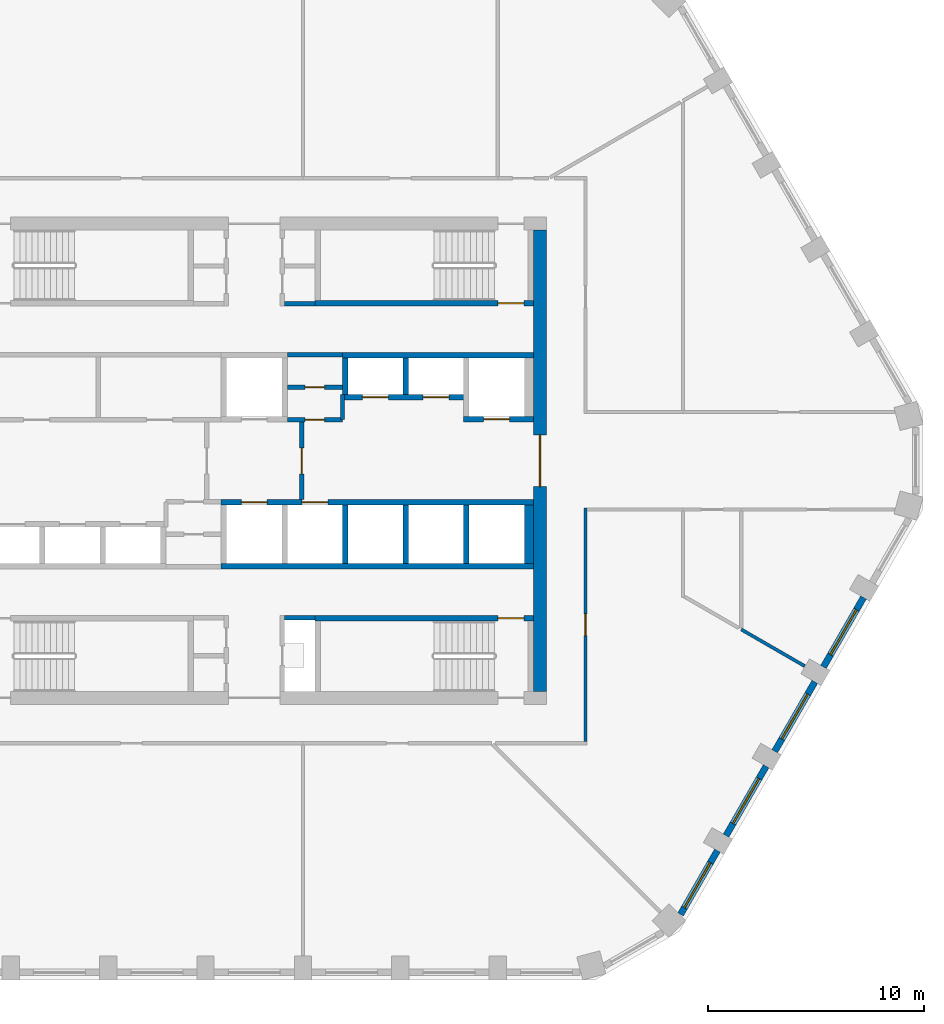
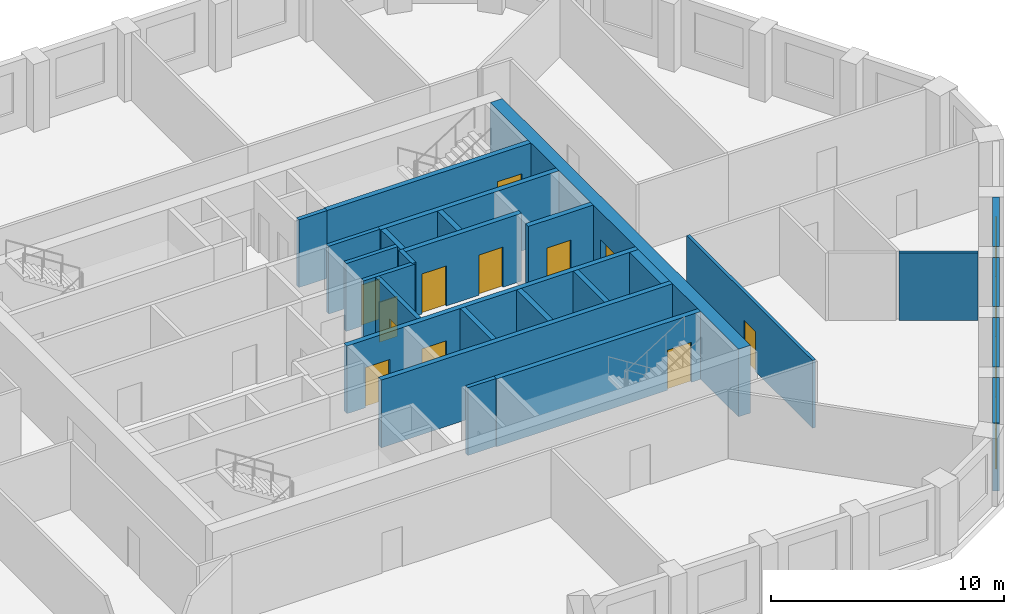
# One storey, part 4 of 8: 27 walls, 12 doors, 4 windows, 16 openings.
"""IFC4 building model written with IfcOpenShell, lengths in metres."""

from ifc_helpers import new_model, si_unit, direction, frame, frame_2d, origin, place, context, subcontext, project, spatial, polyline, rectangle, outline, extrude, material, layer, layer_set, type_object, element, fill, save


model = new_model("IFC4")

# Units and contexts
model_context = context("Model", 3, precision=1e-05, world=origin(), true_north=direction((0.0, 1.0)))
body_context = subcontext(model_context, "Body", "Model", "MODEL_VIEW")
ifc_project = project(units=[si_unit("LENGTHUNIT", "METRE"), si_unit("AREAUNIT", "SQUARE_METRE"), si_unit("VOLUMEUNIT", "CUBIC_METRE"), si_unit("PLANEANGLEUNIT", "RADIAN"), si_unit("MASSUNIT", "GRAM", prefix="KILO")], contexts=[model_context])

# Site, building, storey
site_placement = place(None, origin())
site = spatial("IfcSite", under=ifc_project, at=site_placement, CompositionType="ELEMENT")
building_placement = place(site_placement, origin())
building = spatial("IfcBuilding", under=site, at=building_placement, Name="Dhurran Vertical Campus", CompositionType="ELEMENT")
storey_placement = place(building_placement, frame((0.0, 0.0, 222.89990234375)))
storey = spatial("IfcBuildingStorey", under=building, at=storey_placement, Name="L55", CompositionType="ELEMENT", Elevation=222.89990234375)

# Wall, opening, window
ifc_material_1 = material(Name="Precast concrete C50/60", Category="concrete")
ifc_layer_1 = layer(ifc_material_1, 0.300048828125)
ifc_layer_set_1 = layer_set([ifc_layer_1], Name="Precast concrete C50/60")
wall_type_1 = type_object("IfcWallType", Name="Precast spandrel wall 300", PredefinedType="SOLIDWALL", material=ifc_layer_set_1)
wall_1_placement = place(storey_placement, frame((19.69580078125, -20.951171875, 0.0), z_axis=(0.0, 0.0, 1.0), x_axis=(0.500012868213, 0.866017974191, 0.0)))
wall_1 = element("IfcWall", 1, at=wall_1_placement, inside=storey, type_object=wall_type_1, Name="EW1 L55.08", PredefinedType="SOLIDWALL", context=body_context, shape_type="SweptSolid", body=[
    extrude(rectangle(XDim=3.39599609375, YDim=0.300048828125, at=frame_2d((1.697998046875, 0.0))), origin(), (0.0, 0.0, 1.0), 3.550048828125),
])
opening_1_placement = place(wall_1_placement, frame((0.346435546875, 0.0, 0.89990234375)))
opening_1 = element("IfcOpeningElement", 2, at=opening_1_placement, cuts=wall_1, Name="Opening WT1", PredefinedType="OPENING", context=body_context, shape_type="SweptSolid", body=[
    extrude(rectangle(XDim=2.39990234375, YDim=2.10009765625, at=frame_2d((1.199951171875, 1.050048828125))), frame((0.0, 0.159912109375, 0.0), z_axis=(0.0, -1.0, 0.0), x_axis=(1.0, 0.0, 0.0)), (0.0, 0.0, 1.0), 0.320068359375),
])
ifc_material_2 = material(Name="Aluminium frame with solar-control glass", Category="aluminium")
window_type = type_object("IfcWindowType", Name="Punched window 2400 x 2100", PartitioningType="SINGLE_PANEL", PredefinedType="WINDOW", material=ifc_material_2)
window_1_placement = place(opening_1_placement, origin())
window_1 = element("IfcWindow", 3, at=window_1_placement, inside=storey, type_object=window_type, Name="WT1 L55.08", OverallHeight=2.10009765625, OverallWidth=2.39990234375, PartitioningType="SINGLE_PANEL", PredefinedType="WINDOW", context=body_context, shape_type="SweptSolid", body=[
    extrude(rectangle(XDim=2.39990234375, YDim=2.10009765625, at=frame_2d((1.199951171875, 1.050048828125))), frame((0.0, 0.030029296875, 0.0), z_axis=(0.0, -1.0, 0.0), x_axis=(1.0, 0.0, 0.0)), (0.0, 0.0, 1.0), 0.06005859375),
])
fill(opening_1, window_1)

wall_2_placement = place(storey_placement, frame((21.794189453125, -17.316650390625, 0.0), z_axis=(0.0, 0.0, 1.0), x_axis=(0.500029062817, 0.866008623709, 0.0)))
wall_2 = element("IfcWall", 4, at=wall_2_placement, inside=storey, type_object=wall_type_1, Name="EW1 L55.09", PredefinedType="SOLIDWALL", context=body_context, shape_type="SweptSolid", body=[
    extrude(rectangle(XDim=3.698974609375, YDim=0.300048828125, at=frame_2d((1.849609375, 0.0))), origin(), (0.0, 0.0, 1.0), 3.550048828125),
])
opening_2_placement = place(wall_2_placement, frame((0.6494140625, 0.0, 0.89990234375)))
opening_2 = element("IfcOpeningElement", 5, at=opening_2_placement, cuts=wall_2, Name="Opening WT1", PredefinedType="OPENING", context=body_context, shape_type="SweptSolid", body=[
    extrude(rectangle(XDim=2.39990234375, YDim=2.10009765625, at=frame_2d((1.199951171875, 1.050048828125))), frame((0.0, 0.159912109375, 0.0), z_axis=(0.0, -1.0, 0.0), x_axis=(1.0, 0.0, 0.0)), (0.0, 0.0, 1.0), 0.320068359375),
])
window_2_placement = place(opening_2_placement, origin())
window_2 = element("IfcWindow", 6, at=window_2_placement, inside=storey, type_object=window_type, Name="WT1 L55.09", OverallHeight=2.10009765625, OverallWidth=2.39990234375, PartitioningType="SINGLE_PANEL", PredefinedType="WINDOW", context=body_context, shape_type="SweptSolid", body=[
    extrude(rectangle(XDim=2.39990234375, YDim=2.10009765625, at=frame_2d((1.199951171875, 1.050048828125))), frame((0.0, 0.030029296875, 0.0), z_axis=(0.0, -1.0, 0.0), x_axis=(1.0, 0.0, 0.0)), (0.0, 0.0, 1.0), 0.06005859375),
])
fill(opening_2, window_2)

wall_3_placement = place(storey_placement, frame((24.044189453125, -13.41943359375, 0.0), z_axis=(0.0, 0.0, 1.0), x_axis=(0.500029062817, 0.866008623709, 0.0)))
wall_3 = element("IfcWall", 7, at=wall_3_placement, inside=storey, type_object=wall_type_1, Name="EW1 L55.10", PredefinedType="SOLIDWALL", context=body_context, shape_type="SweptSolid", body=[
    extrude(rectangle(XDim=3.698974609375, YDim=0.300048828125, at=frame_2d((1.849609375, 0.0))), origin(), (0.0, 0.0, 1.0), 3.550048828125),
])
opening_3_placement = place(wall_3_placement, frame((0.6494140625, 0.0, 0.89990234375)))
opening_3 = element("IfcOpeningElement", 8, at=opening_3_placement, cuts=wall_3, Name="Opening WT1", PredefinedType="OPENING", context=body_context, shape_type="SweptSolid", body=[
    extrude(rectangle(XDim=2.39990234375, YDim=2.10009765625, at=frame_2d((1.199951171875, 1.050048828125))), frame((0.0, 0.159912109375, 0.0), z_axis=(0.0, -1.0, 0.0), x_axis=(1.0, 0.0, 0.0)), (0.0, 0.0, 1.0), 0.320068359375),
])
window_3_placement = place(opening_3_placement, origin())
window_3 = element("IfcWindow", 9, at=window_3_placement, inside=storey, type_object=window_type, Name="WT1 L55.10", OverallHeight=2.10009765625, OverallWidth=2.39990234375, PartitioningType="SINGLE_PANEL", PredefinedType="WINDOW", context=body_context, shape_type="SweptSolid", body=[
    extrude(rectangle(XDim=2.39990234375, YDim=2.10009765625, at=frame_2d((1.199951171875, 1.050048828125))), frame((0.0, 0.030029296875, 0.0), z_axis=(0.0, -1.0, 0.0), x_axis=(1.0, 0.0, 0.0)), (0.0, 0.0, 1.0), 0.06005859375),
])
fill(opening_3, window_3)

wall_4_placement = place(storey_placement, frame((26.294189453125, -9.5224609375, 0.0), z_axis=(0.0, 0.0, 1.0), x_axis=(0.500029062817, 0.866008623709, 0.0)))
wall_4 = element("IfcWall", 10, at=wall_4_placement, inside=storey, type_object=wall_type_1, Name="EW1 L55.11", PredefinedType="SOLIDWALL", context=body_context, shape_type="SweptSolid", body=[
    extrude(rectangle(XDim=3.698974609375, YDim=0.300048828125, at=frame_2d((1.849609375, 0.0))), origin(), (0.0, 0.0, 1.0), 3.550048828125),
])
opening_4_placement = place(wall_4_placement, frame((0.6494140625, 0.0, 0.89990234375)))
opening_4 = element("IfcOpeningElement", 11, at=opening_4_placement, cuts=wall_4, Name="Opening WT1", PredefinedType="OPENING", context=body_context, shape_type="SweptSolid", body=[
    extrude(rectangle(XDim=2.39990234375, YDim=2.10009765625, at=frame_2d((1.199951171875, 1.050048828125))), frame((0.0, 0.159912109375, 0.0), z_axis=(0.0, -1.0, 0.0), x_axis=(1.0, 0.0, 0.0)), (0.0, 0.0, 1.0), 0.320068359375),
])
window_4_placement = place(opening_4_placement, origin())
window_4 = element("IfcWindow", 12, at=window_4_placement, inside=storey, type_object=window_type, Name="WT1 L55.11", OverallHeight=2.10009765625, OverallWidth=2.39990234375, PartitioningType="SINGLE_PANEL", PredefinedType="WINDOW", context=body_context, shape_type="SweptSolid", body=[
    extrude(rectangle(XDim=2.39990234375, YDim=2.10009765625, at=frame_2d((1.199951171875, 1.050048828125))), frame((0.0, 0.030029296875, 0.0), z_axis=(0.0, -1.0, 0.0), x_axis=(1.0, 0.0, 0.0)), (0.0, 0.0, 1.0), 0.06005859375),
])
fill(opening_4, window_4)

# Wall, opening, door
ifc_material_3 = material(Name="Concrete C50/60", Category="concrete")
ifc_layer_2 = layer(ifc_material_3, 0.60009765625)
ifc_layer_set_2 = layer_set([ifc_layer_2], Name="Concrete C50/60")
wall_type_2 = type_object("IfcWallType", Name="co-CORE-WALL-C2-600", PredefinedType="SHEAR", material=ifc_layer_set_2)
wall_5_placement = place(storey_placement, frame((13.199951171875, -10.64990234375, 0.0), z_axis=(0.0, 0.0, 1.0), x_axis=(0.0, 1.0, 0.0)))
wall_5 = element("IfcWall", 13, at=wall_5_placement, inside=storey, type_object=wall_type_2, Name="Core wall E L55", PredefinedType="SHEAR", context=body_context, shape_type="SweptSolid", body=[
    extrude(rectangle(XDim=21.2998046875, YDim=0.60009765625, at=frame_2d((10.64990234375, 0.0))), origin(), (0.0, 0.0, 1.0), 3.550048828125),
])
opening_5_placement = place(wall_5_placement, frame((9.449951171875, 0.0, 0.0)))
opening_5 = element("IfcOpeningElement", 14, at=opening_5_placement, cuts=wall_5, Name="Opening CL2", PredefinedType="OPENING", context=body_context, shape_type="SweptSolid", body=[
    extrude(rectangle(XDim=2.39990234375, YDim=2.10009765625, at=frame_2d((1.199951171875, 1.050048828125))), frame((0.0, 0.31005859375, 0.0), z_axis=(0.0, -1.0, 0.0), x_axis=(1.0, 0.0, 0.0)), (0.0, 0.0, 1.0), 0.6201171875),
])
ifc_material_4 = material(Name="Fire-rated glazed door set")
door_type_1 = type_object("IfcDoorType", Name="co-D-LOBBY 2400x2100", OperationType="DOUBLE_DOOR_DOUBLE_SWING", PredefinedType="DOOR", material=ifc_material_4)
door_1_placement = place(opening_5_placement, origin())
door_1 = element("IfcDoor", 15, at=door_1_placement, inside=storey, type_object=door_type_1, Name="Lift lobby door E L55", OperationType="DOUBLE_DOOR_DOUBLE_SWING", OverallHeight=2.10009765625, OverallWidth=2.39990234375, PredefinedType="DOOR", context=body_context, shape_type="SweptSolid", body=[
    extrude(rectangle(XDim=2.39990234375, YDim=2.10009765625, at=frame_2d((1.199951171875, 1.050048828125))), frame((0.0, 0.02490234375, 0.0), z_axis=(0.0, -1.0, 0.0), x_axis=(1.0, 0.0, 0.0)), (0.0, 0.0, 1.0), 0.050048828125),
])
fill(opening_5, door_1)

ifc_material_5 = material(Name="Fire-rated masonry blockwork", Category="masonry")
ifc_layer_3 = layer(ifc_material_5, 0.199951171875)
ifc_layer_set_3 = layer_set([ifc_layer_3], Name="Fire-rated masonry blockwork")
wall_type_3 = type_object("IfcWallType", Name="co-FIRE-PARTITION-200", PredefinedType="PARTITIONING", material=ifc_layer_set_3)
wall_6_placement = place(storey_placement, frame((2.199951171875, -1.800048828125, 0.0), z_axis=(0.0, 0.0, 1.0), x_axis=(0.0, 1.0, 0.0)))
wall_6 = element("IfcWall", 16, at=wall_6_placement, inside=storey, type_object=wall_type_3, Name="Firefighting lobby wall E L55", PredefinedType="PARTITIONING", context=body_context, shape_type="SweptSolid", body=[
    extrude(rectangle(XDim=3.60009765625, YDim=0.199951171875, at=frame_2d((1.800048828125, 0.0))), origin(), (0.0, 0.0, 1.0), 3.550048828125),
])
opening_6_placement = place(wall_6_placement, frame((1.199951171875, 0.0, 0.0)))
opening_6 = element("IfcOpeningElement", 17, at=opening_6_placement, cuts=wall_6, Name="Opening FL2", PredefinedType="OPENING", context=body_context, shape_type="SweptSolid", body=[
    extrude(rectangle(XDim=1.199951171875, YDim=2.10009765625, at=frame_2d((0.60009765625, 1.050048828125))), frame((0.0, 0.10986328125, 0.0), z_axis=(0.0, -1.0, 0.0), x_axis=(1.0, 0.0, 0.0)), (0.0, 0.0, 1.0), 0.219970703125),
])
ifc_material_6 = material(Name="Fire-rated steel door set", Category="steel")
door_type_2 = type_object("IfcDoorType", Name="co-D-FFLOBBY 1200x2100", OperationType="SINGLE_SWING_LEFT", PredefinedType="DOOR", material=ifc_material_6)
door_2_placement = place(opening_6_placement, origin())
door_2 = element("IfcDoor", 18, at=door_2_placement, inside=storey, type_object=door_type_2, Name="Firefighting lobby door E L55", OperationType="SINGLE_SWING_LEFT", OverallHeight=2.10009765625, OverallWidth=1.199951171875, PredefinedType="DOOR", context=body_context, shape_type="SweptSolid", body=[
    extrude(rectangle(XDim=1.199951171875, YDim=2.10009765625, at=frame_2d((0.60009765625, 1.050048828125))), frame((0.0, 0.02490234375, 0.0), z_axis=(0.0, -1.0, 0.0), x_axis=(1.0, 0.0, 0.0)), (0.0, 0.0, 1.0), 0.050048828125),
])
fill(opening_6, door_2)

# Walls
for number, where, z_axis, x_axis, name in (
    (19, (1.39990234375, 7.25, 0.0), (0.0, 0.0, 1.0), (1.0, 0.0, 0.0), "Core partition sl-NE-S L55"),
    (20, (1.39990234375, -7.25, 0.0), (0.0, 0.0, 1.0), (1.0, 0.0, 0.0), "Core partition sl-SE-S L55"),
):
    element("IfcWall", number, at=place(storey_placement, frame(where, z_axis=z_axis, x_axis=x_axis)), inside=storey, type_object=wall_type_3, Name=name, PredefinedType="PARTITIONING", context=body_context, shape_type="SweptSolid", body=[
        extrude(rectangle(XDim=1.400146484375, YDim=0.199951171875, at=frame_2d((0.7001953125, 0.0))), origin(), (0.0, 0.0, 1.0), 3.550048828125),
    ])

# Wall, opening, door
wall_7_placement = place(storey_placement, frame((1.52490234375, 3.39990234375, 0.0), z_axis=(0.0, 0.0, 1.0), x_axis=(1.0, 0.0, 0.0)))
wall_7 = element("IfcWall", 21, at=wall_7_placement, inside=storey, type_object=wall_type_3, Name="Core partition fr-N1-c L55", PredefinedType="PARTITIONING", context=body_context, shape_type="SweptSolid", body=[
    extrude(rectangle(XDim=2.550048828125, YDim=0.199951171875, at=frame_2d((1.27490234375, 0.0))), origin(), (0.0, 0.0, 1.0), 3.550048828125),
])
opening_7_placement = place(wall_7_placement, frame((0.824951171875, 0.0, 0.0)))
opening_7 = element("IfcOpeningElement", 22, at=opening_7_placement, cuts=wall_7, Name="Opening T16-C10", PredefinedType="OPENING", context=body_context, shape_type="SweptSolid", body=[
    extrude(rectangle(XDim=0.89990234375, YDim=2.10009765625, at=frame_2d((0.449951171875, 1.050048828125))), frame((0.0, 0.10986328125, 0.0), z_axis=(0.0, -1.0, 0.0), x_axis=(1.0, 0.0, 0.0)), (0.0, 0.0, 1.0), 0.219970703125),
])
ifc_material_7 = material(Name="Fire-rated timber door set", Category="wood")
door_type_3 = type_object("IfcDoorType", Name="co-D-ROOM 900x2100", OperationType="SINGLE_SWING_LEFT", PredefinedType="DOOR", material=ifc_material_7)
door_3_placement = place(opening_7_placement, origin())
door_3 = element("IfcDoor", 23, at=door_3_placement, inside=storey, type_object=door_type_3, Name="Plant room door L55", OperationType="SINGLE_SWING_LEFT", OverallHeight=2.10009765625, OverallWidth=0.89990234375, PredefinedType="DOOR", context=body_context, shape_type="SweptSolid", body=[
    extrude(rectangle(XDim=0.89990234375, YDim=2.10009765625, at=frame_2d((0.449951171875, 1.050048828125))), frame((0.0, 0.02490234375, 0.0), z_axis=(0.0, -1.0, 0.0), x_axis=(1.0, 0.0, 0.0)), (0.0, 0.0, 1.0), 0.050048828125),
])
fill(opening_7, door_3)

wall_8_placement = place(storey_placement, frame((1.52490234375, 1.89990234375, 0.0), z_axis=(0.0, 0.0, 1.0), x_axis=(1.0, 0.0, 0.0)))
wall_8 = element("IfcWall", 24, at=wall_8_placement, inside=storey, type_object=wall_type_3, Name="Core partition fr-N1-f L55", PredefinedType="PARTITIONING", context=body_context, shape_type="SweptSolid", body=[
    extrude(rectangle(XDim=2.550048828125, YDim=0.199951171875, at=frame_2d((1.27490234375, 0.0))), origin(), (0.0, 0.0, 1.0), 3.550048828125),
])
opening_8_placement = place(wall_8_placement, frame((0.824951171875, 0.0, 0.0)))
opening_8 = element("IfcOpeningElement", 25, at=opening_8_placement, cuts=wall_8, Name="Opening T16-C11", PredefinedType="OPENING", context=body_context, shape_type="SweptSolid", body=[
    extrude(rectangle(XDim=0.89990234375, YDim=2.10009765625, at=frame_2d((0.449951171875, 1.050048828125))), frame((0.0, 0.10986328125, 0.0), z_axis=(0.0, -1.0, 0.0), x_axis=(1.0, 0.0, 0.0)), (0.0, 0.0, 1.0), 0.219970703125),
])
door_4_placement = place(opening_8_placement, origin())
door_4 = element("IfcDoor", 26, at=door_4_placement, inside=storey, type_object=door_type_3, Name="Server room door L55", OperationType="SINGLE_SWING_LEFT", OverallHeight=2.10009765625, OverallWidth=0.89990234375, PredefinedType="DOOR", context=body_context, shape_type="SweptSolid", body=[
    extrude(rectangle(XDim=0.89990234375, YDim=2.10009765625, at=frame_2d((0.449951171875, 1.050048828125))), frame((0.0, 0.02490234375, 0.0), z_axis=(0.0, -1.0, 0.0), x_axis=(1.0, 0.0, 0.0)), (0.0, 0.0, 1.0), 0.050048828125),
])
fill(opening_8, door_4)

# Walls
wall_9_placement = place(storey_placement, frame((1.52490234375, 4.89990234375, 0.0), z_axis=(0.0, 0.0, 1.0), x_axis=(1.0, 0.0, 0.0)))
element("IfcWall", 27, at=wall_9_placement, inside=storey, type_object=wall_type_3, Name="Core partition fr-N1-b L55", PredefinedType="PARTITIONING", context=body_context, shape_type="SweptSolid", body=[
    extrude(rectangle(XDim=2.550048828125, YDim=0.199951171875, at=frame_2d((1.27490234375, 0.0))), origin(), (0.0, 0.0, 1.0), 3.550048828125),
])
wall_10_placement = place(storey_placement, frame((4.074951171875, 1.89990234375, 0.0), z_axis=(0.0, 0.0, 1.0), x_axis=(0.0, 1.0, 0.0)))
element("IfcWall", 28, at=wall_10_placement, inside=storey, type_object=wall_type_3, Name="Core partition fr-N1-n1 L55", PredefinedType="PARTITIONING", context=body_context, shape_type="SweptSolid", body=[
    extrude(rectangle(XDim=1.150146484375, YDim=0.199951171875, at=frame_2d((0.5751953125, 0.0))), origin(), (0.0, 0.0, 1.0), 3.550048828125),
])

# Wall, openings, doors
ifc_material_8 = material(Name="Concrete C50/60", Category="concrete")
ifc_layer_4 = layer(ifc_material_8, 0.25)
ifc_layer_set_4 = layer_set([ifc_layer_4], Name="Concrete C50/60")
wall_type_4 = type_object("IfcWallType", Name="co-SHAFT-FRONT-250", PredefinedType="SHEAR", material=ifc_layer_set_4)
wall_11_placement = place(storey_placement, frame((4.074951171875, 2.925048828125, 0.0), z_axis=(0.0, 0.0, 1.0), x_axis=(1.0, 0.0, 0.0)))
wall_11 = element("IfcWall", 29, at=wall_11_placement, inside=storey, type_object=wall_type_4, Name="Lift landing wall N L55", PredefinedType="SHEAR", context=body_context, shape_type="SweptSolid", body=[
    extrude(rectangle(XDim=5.85009765625, YDim=0.25, at=frame_2d((2.925048828125, 0.0))), origin(), (0.0, 0.0, 1.0), 3.550048828125),
])
opening_9_placement = place(wall_11_placement, frame((0.925048828125, 0.0, 0.0)))
opening_9 = element("IfcOpeningElement", 30, at=opening_9_placement, cuts=wall_11, Name="Opening LD", PredefinedType="OPENING", context=body_context, shape_type="SweptSolid", body=[
    extrude(rectangle(XDim=1.199951171875, YDim=2.10009765625, at=frame_2d((0.60009765625, 1.050048828125))), frame((0.0, 0.135009765625, 0.0), z_axis=(0.0, -1.0, 0.0), x_axis=(1.0, 0.0, 0.0)), (0.0, 0.0, 1.0), 0.27001953125),
])
opening_10_placement = place(wall_11_placement, frame((3.72509765625, 0.0, 0.0)))
opening_10 = element("IfcOpeningElement", 31, at=opening_10_placement, cuts=wall_11, Name="Opening LD", PredefinedType="OPENING", context=body_context, shape_type="SweptSolid", body=[
    extrude(rectangle(XDim=1.199951171875, YDim=2.10009765625, at=frame_2d((0.60009765625, 1.050048828125))), frame((0.0, 0.135009765625, 0.0), z_axis=(0.0, -1.0, 0.0), x_axis=(1.0, 0.0, 0.0)), (0.0, 0.0, 1.0), 0.27001953125),
])
ifc_material_9 = material(Name="Stainless steel landing door", Category="steel")
door_type_4 = type_object("IfcDoorType", Name="co-D-LANDING 1200x2100", OperationType="DOUBLE_DOOR_SLIDING", PredefinedType="DOOR", material=ifc_material_9)
door_5_placement = place(opening_9_placement, origin())
door_5 = element("IfcDoor", 32, at=door_5_placement, inside=storey, type_object=door_type_4, Name="Landing door MR1 L55", OperationType="DOUBLE_DOOR_SLIDING", OverallHeight=2.10009765625, OverallWidth=1.199951171875, PredefinedType="DOOR", context=body_context, shape_type="SweptSolid", body=[
    extrude(rectangle(XDim=1.199951171875, YDim=2.10009765625, at=frame_2d((0.60009765625, 1.050048828125))), frame((0.0, 0.02490234375, 0.0), z_axis=(0.0, -1.0, 0.0), x_axis=(1.0, 0.0, 0.0)), (0.0, 0.0, 1.0), 0.050048828125),
])
fill(opening_9, door_5)
door_6_placement = place(opening_10_placement, origin())
door_6 = element("IfcDoor", 33, at=door_6_placement, inside=storey, type_object=door_type_4, Name="Landing door MR2 L55", OperationType="DOUBLE_DOOR_SLIDING", OverallHeight=2.10009765625, OverallWidth=1.199951171875, PredefinedType="DOOR", context=body_context, shape_type="SweptSolid", body=[
    extrude(rectangle(XDim=1.199951171875, YDim=2.10009765625, at=frame_2d((0.60009765625, 1.050048828125))), frame((0.0, 0.02490234375, 0.0), z_axis=(0.0, -1.0, 0.0), x_axis=(1.0, 0.0, 0.0)), (0.0, 0.0, 1.0), 0.050048828125),
])
fill(opening_10, door_6)

# Wall, opening, door
wall_12_placement = place(storey_placement, frame((9.675048828125, 1.925048828125, 0.0), z_axis=(0.0, 0.0, 1.0), x_axis=(1.0, 0.0, 0.0)))
wall_12 = element("IfcWall", 34, at=wall_12_placement, inside=storey, type_object=wall_type_4, Name="Lift landing wall N L55", PredefinedType="SHEAR", context=body_context, shape_type="SweptSolid", body=[
    extrude(rectangle(XDim=3.224853515625, YDim=0.25, at=frame_2d((1.6123046875, 0.0))), origin(), (0.0, 0.0, 1.0), 3.550048828125),
])
opening_11_placement = place(wall_12_placement, frame((0.925048828125, 0.0, 0.0)))
opening_11 = element("IfcOpeningElement", 35, at=opening_11_placement, cuts=wall_12, Name="Opening LD", PredefinedType="OPENING", context=body_context, shape_type="SweptSolid", body=[
    extrude(rectangle(XDim=1.199951171875, YDim=2.10009765625, at=frame_2d((0.60009765625, 1.050048828125))), frame((0.0, 0.135009765625, 0.0), z_axis=(0.0, -1.0, 0.0), x_axis=(1.0, 0.0, 0.0)), (0.0, 0.0, 1.0), 0.27001953125),
])
door_7_placement = place(opening_11_placement, origin())
door_7 = element("IfcDoor", 36, at=door_7_placement, inside=storey, type_object=door_type_4, Name="Landing door SV2 L55", OperationType="DOUBLE_DOOR_SLIDING", OverallHeight=2.10009765625, OverallWidth=1.199951171875, PredefinedType="DOOR", context=body_context, shape_type="SweptSolid", body=[
    extrude(rectangle(XDim=1.199951171875, YDim=2.10009765625, at=frame_2d((0.60009765625, 1.050048828125))), frame((0.0, 0.02490234375, 0.0), z_axis=(0.0, -1.0, 0.0), x_axis=(1.0, 0.0, 0.0)), (0.0, 0.0, 1.0), 0.050048828125),
])
fill(opening_11, door_7)

# Wall, openings, doors
wall_13_placement = place(storey_placement, frame((-1.52490234375, -1.925048828125, 0.0), z_axis=(0.0, 0.0, 1.0), x_axis=(1.0, 0.0, 0.0)))
wall_13 = element("IfcWall", 37, at=wall_13_placement, inside=storey, type_object=wall_type_4, Name="Lift landing wall S L55", PredefinedType="SHEAR", context=body_context, shape_type="SweptSolid", body=[
    extrude(rectangle(XDim=14.4248046875, YDim=0.25, at=frame_2d((7.21240234375, 0.0))), origin(), (0.0, 0.0, 1.0), 3.550048828125),
])
opening_12_placement = place(wall_13_placement, frame((0.925048828125, 0.0, 0.0)))
opening_12 = element("IfcOpeningElement", 38, at=opening_12_placement, cuts=wall_13, Name="Opening LD", PredefinedType="OPENING", context=body_context, shape_type="SweptSolid", body=[
    extrude(rectangle(XDim=1.199951171875, YDim=2.10009765625, at=frame_2d((0.60009765625, 1.050048828125))), frame((0.0, 0.135009765625, 0.0), z_axis=(0.0, -1.0, 0.0), x_axis=(1.0, 0.0, 0.0)), (0.0, 0.0, 1.0), 0.27001953125),
])
opening_13_placement = place(wall_13_placement, frame((3.72509765625, 0.0, 0.0)))
opening_13 = element("IfcOpeningElement", 39, at=opening_13_placement, cuts=wall_13, Name="Opening LD", PredefinedType="OPENING", context=body_context, shape_type="SweptSolid", body=[
    extrude(rectangle(XDim=1.199951171875, YDim=2.10009765625, at=frame_2d((0.60009765625, 1.050048828125))), frame((0.0, 0.135009765625, 0.0), z_axis=(0.0, -1.0, 0.0), x_axis=(1.0, 0.0, 0.0)), (0.0, 0.0, 1.0), 0.27001953125),
])
door_8_placement = place(opening_12_placement, origin())
door_8 = element("IfcDoor", 40, at=door_8_placement, inside=storey, type_object=door_type_4, Name="Landing door FF2 L55", OperationType="DOUBLE_DOOR_SLIDING", OverallHeight=2.10009765625, OverallWidth=1.199951171875, PredefinedType="DOOR", context=body_context, shape_type="SweptSolid", body=[
    extrude(rectangle(XDim=1.199951171875, YDim=2.10009765625, at=frame_2d((0.60009765625, 1.050048828125))), frame((0.0, 0.02490234375, 0.0), z_axis=(0.0, -1.0, 0.0), x_axis=(1.0, 0.0, 0.0)), (0.0, 0.0, 1.0), 0.050048828125),
])
fill(opening_12, door_8)
door_9_placement = place(opening_13_placement, origin())
door_9 = element("IfcDoor", 41, at=door_9_placement, inside=storey, type_object=door_type_4, Name="Landing door SV1 L55", OperationType="DOUBLE_DOOR_SLIDING", OverallHeight=2.10009765625, OverallWidth=1.199951171875, PredefinedType="DOOR", context=body_context, shape_type="SweptSolid", body=[
    extrude(rectangle(XDim=1.199951171875, YDim=2.10009765625, at=frame_2d((0.60009765625, 1.050048828125))), frame((0.0, 0.02490234375, 0.0), z_axis=(0.0, -1.0, 0.0), x_axis=(1.0, 0.0, 0.0)), (0.0, 0.0, 1.0), 0.050048828125),
])
fill(opening_13, door_9)

# Walls
ifc_material_10 = material(Name="Concrete C50/60", Category="concrete")
ifc_layer_5 = layer(ifc_material_10, 0.25)
ifc_layer_set_5 = layer_set([ifc_layer_5], Name="Concrete C50/60")
wall_type_5 = type_object("IfcWallType", Name="co-SHAFT-MASS-250", PredefinedType="SHEAR", material=ifc_layer_set_5)
wall_14_placement = place(storey_placement, origin())
element("IfcWall", 42, at=wall_14_placement, inside=storey, type_object=wall_type_5, Name="Lift shaft wall N L55 2", PredefinedType="SHEAR", context=body_context, shape_type="SweptSolid", body=[
    extrude(outline(polyline([(4.074951171875, 4.75), (12.89990234375, 4.75), (12.89990234375, 5.0), (4.074951171875, 5.0), (4.074951171875, 4.75)])), origin(), (0.0, 0.0, 1.0), 3.550048828125),
])
wall_15_placement = place(storey_placement, origin())
element("IfcWall", 43, at=wall_15_placement, inside=storey, type_object=wall_type_5, Name="Lift shaft wall N L55 7", PredefinedType="SHEAR", context=body_context, shape_type="SweptSolid", body=[
    extrude(outline(polyline([(4.074951171875, 3.050048828125), (4.324951171875, 3.050048828125), (4.324951171875, 4.75), (4.074951171875, 4.75), (4.074951171875, 3.050048828125)])), origin(), (0.0, 0.0, 1.0), 3.550048828125),
])
wall_16_placement = place(storey_placement, origin())
element("IfcWall", 44, at=wall_16_placement, inside=storey, type_object=wall_type_5, Name="Lift shaft wall N L55 8", PredefinedType="SHEAR", context=body_context, shape_type="SweptSolid", body=[
    extrude(outline(polyline([(6.875, 3.050048828125), (7.125, 3.050048828125), (7.125, 4.75), (6.875, 4.75), (6.875, 3.050048828125)])), origin(), (0.0, 0.0, 1.0), 3.550048828125),
])
wall_17_placement = place(storey_placement, origin())
element("IfcWall", 45, at=wall_17_placement, inside=storey, type_object=wall_type_5, Name="Lift shaft wall S L55 2", PredefinedType="SHEAR", context=body_context, shape_type="SweptSolid", body=[
    extrude(outline(polyline([(-1.52490234375, -5.0), (12.89990234375, -5.0), (12.89990234375, -4.75), (-1.52490234375, -4.75), (-1.52490234375, -5.0)])), origin(), (0.0, 0.0, 1.0), 3.550048828125),
])
wall_18_placement = place(storey_placement, origin())
element("IfcWall", 46, at=wall_18_placement, inside=storey, type_object=wall_type_5, Name="Lift shaft wall S L55 9", PredefinedType="SHEAR", context=body_context, shape_type="SweptSolid", body=[
    extrude(outline(polyline([(4.074951171875, -4.75), (4.324951171875, -4.75), (4.324951171875, -2.050048828125), (4.074951171875, -2.050048828125), (4.074951171875, -4.75)])), origin(), (0.0, 0.0, 1.0), 3.550048828125),
])
wall_19_placement = place(storey_placement, origin())
element("IfcWall", 47, at=wall_19_placement, inside=storey, type_object=wall_type_5, Name="Lift shaft wall S L55 10", PredefinedType="SHEAR", context=body_context, shape_type="SweptSolid", body=[
    extrude(outline(polyline([(6.875, -4.75), (7.125, -4.75), (7.125, -2.050048828125), (6.875, -2.050048828125), (6.875, -4.75)])), origin(), (0.0, 0.0, 1.0), 3.550048828125),
])
wall_20_placement = place(storey_placement, origin())
element("IfcWall", 48, at=wall_20_placement, inside=storey, type_object=wall_type_5, Name="Lift shaft wall S L55 11", PredefinedType="SHEAR", context=body_context, shape_type="SweptSolid", body=[
    extrude(outline(polyline([(9.675048828125, -4.75), (9.925048828125, -4.75), (9.925048828125, -2.050048828125), (9.675048828125, -2.050048828125), (9.675048828125, -4.75)])), origin(), (0.0, 0.0, 1.0), 3.550048828125),
])
wall_21_placement = place(storey_placement, origin())
element("IfcWall", 49, at=wall_21_placement, inside=storey, type_object=wall_type_5, Name="Lift shaft wall S L55 12", PredefinedType="SHEAR", context=body_context, shape_type="SweptSolid", body=[
    extrude(outline(polyline([(12.47509765625, -4.75), (12.89990234375, -4.75), (12.89990234375, -2.050048828125), (12.47509765625, -2.050048828125), (12.47509765625, -4.75)])), origin(), (0.0, 0.0, 1.0), 3.550048828125),
])

# Wall, opening, door
ifc_material_11 = material(Name="Concrete C40/50", Category="concrete")
ifc_layer_6 = layer(ifc_material_11, 0.25)
ifc_layer_set_6 = layer_set([ifc_layer_6], Name="Concrete C40/50")
wall_type_6 = type_object("IfcWallType", Name="co-STAIR-WALL-250", PredefinedType="SHEAR", material=ifc_layer_set_6)
wall_22_placement = place(storey_placement, frame((2.800048828125, 7.27490234375, 0.0), z_axis=(0.0, 0.0, 1.0), x_axis=(1.0, 0.0, 0.0)))
wall_22 = element("IfcWall", 50, at=wall_22_placement, inside=storey, type_object=wall_type_6, Name="Stair ST2 enclosure wall L55", PredefinedType="SHEAR", context=body_context, shape_type="SweptSolid", body=[
    extrude(rectangle(XDim=10.099853515625, YDim=0.25, at=frame_2d((5.0498046875, 0.0))), origin(), (0.0, 0.0, 1.0), 3.550048828125),
])
opening_14_placement = place(wall_22_placement, frame((8.449951171875, 0.0, 0.0)))
opening_14 = element("IfcOpeningElement", 51, at=opening_14_placement, cuts=wall_22, Name="Opening SD2", PredefinedType="OPENING", context=body_context, shape_type="SweptSolid", body=[
    extrude(rectangle(XDim=1.199951171875, YDim=2.10009765625, at=frame_2d((0.60009765625, 1.050048828125))), frame((0.0, 0.135009765625, 0.0), z_axis=(0.0, -1.0, 0.0), x_axis=(1.0, 0.0, 0.0)), (0.0, 0.0, 1.0), 0.27001953125),
])
ifc_material_12 = material(Name="Fire-rated steel door set", Category="steel")
door_type_5 = type_object("IfcDoorType", Name="co-D-STAIR 1200x2100", OperationType="SINGLE_SWING_LEFT", PredefinedType="DOOR", material=ifc_material_12)
door_10_placement = place(opening_14_placement, origin())
door_10 = element("IfcDoor", 52, at=door_10_placement, inside=storey, type_object=door_type_5, Name="Stair ST2 door L55", OperationType="SINGLE_SWING_LEFT", OverallHeight=2.10009765625, OverallWidth=1.199951171875, PredefinedType="DOOR", context=body_context, shape_type="SweptSolid", body=[
    extrude(rectangle(XDim=1.199951171875, YDim=2.10009765625, at=frame_2d((0.60009765625, 1.050048828125))), frame((0.0, 0.02490234375, 0.0), z_axis=(0.0, -1.0, 0.0), x_axis=(1.0, 0.0, 0.0)), (0.0, 0.0, 1.0), 0.050048828125),
])
fill(opening_14, door_10)

wall_23_placement = place(storey_placement, frame((2.800048828125, -7.27490234375, 0.0), z_axis=(0.0, 0.0, 1.0), x_axis=(1.0, 0.0, 0.0)))
wall_23 = element("IfcWall", 53, at=wall_23_placement, inside=storey, type_object=wall_type_6, Name="Stair ST4 enclosure wall L55", PredefinedType="SHEAR", context=body_context, shape_type="SweptSolid", body=[
    extrude(rectangle(XDim=10.099853515625, YDim=0.25, at=frame_2d((5.0498046875, 0.0))), origin(), (0.0, 0.0, 1.0), 3.550048828125),
])
opening_15_placement = place(wall_23_placement, frame((8.449951171875, 0.0, 0.0)))
opening_15 = element("IfcOpeningElement", 54, at=opening_15_placement, cuts=wall_23, Name="Opening SD4", PredefinedType="OPENING", context=body_context, shape_type="SweptSolid", body=[
    extrude(rectangle(XDim=1.199951171875, YDim=2.10009765625, at=frame_2d((0.60009765625, 1.050048828125))), frame((0.0, 0.135009765625, 0.0), z_axis=(0.0, -1.0, 0.0), x_axis=(1.0, 0.0, 0.0)), (0.0, 0.0, 1.0), 0.27001953125),
])
door_11_placement = place(opening_15_placement, origin())
door_11 = element("IfcDoor", 55, at=door_11_placement, inside=storey, type_object=door_type_5, Name="Stair ST4 door L55", OperationType="SINGLE_SWING_LEFT", OverallHeight=2.10009765625, OverallWidth=1.199951171875, PredefinedType="DOOR", context=body_context, shape_type="SweptSolid", body=[
    extrude(rectangle(XDim=1.199951171875, YDim=2.10009765625, at=frame_2d((0.60009765625, 1.050048828125))), frame((0.0, 0.02490234375, 0.0), z_axis=(0.0, -1.0, 0.0), x_axis=(1.0, 0.0, 0.0)), (0.0, 0.0, 1.0), 0.050048828125),
])
fill(opening_15, door_11)

ifc_material_13 = material(Name="Gypsum board corridor wall on steel studs", Category="steel")
ifc_layer_7 = layer(ifc_material_13, 0.14990234375)
ifc_layer_set_7 = layer_set([ifc_layer_7], Name="Gypsum board corridor wall on steel studs")
wall_type_7 = type_object("IfcWallType", Name="fl-CW-150 corridor wall", PredefinedType="PARTITIONING", material=ifc_layer_set_7)
wall_24_placement = place(storey_placement, frame((15.300048828125, -12.97509765625, 0.0), z_axis=(0.0, 0.0, 1.0), x_axis=(0.0, 1.0, 0.0)))
wall_24 = element("IfcWall", 56, at=wall_24_placement, inside=storey, type_object=wall_type_7, Name="Partition 55-27", PredefinedType="PARTITIONING", context=body_context, shape_type="SweptSolid", body=[
    extrude(rectangle(XDim=10.800048828125, YDim=0.14990234375, at=frame_2d((5.39990234375, 0.0))), origin(), (0.0, 0.0, 1.0), 3.550048828125),
])
opening_16_placement = place(wall_24_placement, frame((4.89990234375, 0.0, 0.0)))
opening_16 = element("IfcOpeningElement", 57, at=opening_16_placement, cuts=wall_24, Name="Opening T16.11", PredefinedType="OPENING", context=body_context, shape_type="SweptSolid", body=[
    extrude(rectangle(XDim=1.0, YDim=2.10009765625, at=frame_2d((0.5, 1.050048828125))), frame((0.0, 0.0849609375, 0.0), z_axis=(0.0, -1.0, 0.0), x_axis=(1.0, 0.0, 0.0)), (0.0, 0.0, 1.0), 0.169921875),
])
ifc_material_14 = material(Name="Solid-core timber door set, fire-rated", Category="wood")
door_type_6 = type_object("IfcDoorType", Name="fl-D-1000x2100", OperationType="SINGLE_SWING_LEFT", PredefinedType="DOOR", material=ifc_material_14)
door_12_placement = place(opening_16_placement, origin())
door_12 = element("IfcDoor", 58, at=door_12_placement, inside=storey, type_object=door_type_6, Name="Door 55.11", OperationType="SINGLE_SWING_RIGHT", OverallHeight=2.10009765625, OverallWidth=1.0, PredefinedType="DOOR", context=body_context, shape_type="SweptSolid", body=[
    extrude(rectangle(XDim=1.0, YDim=2.10009765625, at=frame_2d((0.5, 1.050048828125))), frame((0.0, 0.02490234375, 0.0), z_axis=(0.0, -1.0, 0.0), x_axis=(1.0, 0.0, 0.0)), (0.0, 0.0, 1.0), 0.050048828125),
])
fill(opening_16, door_12)

# Wall
ifc_material_15 = material(Name="Gypsum board partition on steel studs", Category="steel")
ifc_layer_8 = layer(ifc_material_15, 0.14990234375)
ifc_layer_set_8 = layer_set([ifc_layer_8], Name="Gypsum board partition on steel studs")
wall_type_8 = type_object("IfcWallType", Name="fl-PW-150 fixed partition", PredefinedType="PARTITIONING", material=ifc_layer_set_8)
wall_25_placement = place(storey_placement, frame((22.5, -7.7939453125, 0.0), z_axis=(0.0, 0.0, 1.0), x_axis=(0.866007567725, -0.50003089169, 0.0)))
element("IfcWall", 59, at=wall_25_placement, inside=storey, type_object=wall_type_8, Name="Partition 55-38", PredefinedType="PARTITIONING", context=body_context, shape_type="SweptSolid", body=[
    extrude(rectangle(XDim=3.380126953125, YDim=0.14990234375, at=frame_2d((1.68994140625, 0.0))), origin(), (0.0, 0.0, 1.0), 3.550048828125),
])

save(model, "model.ifc")
